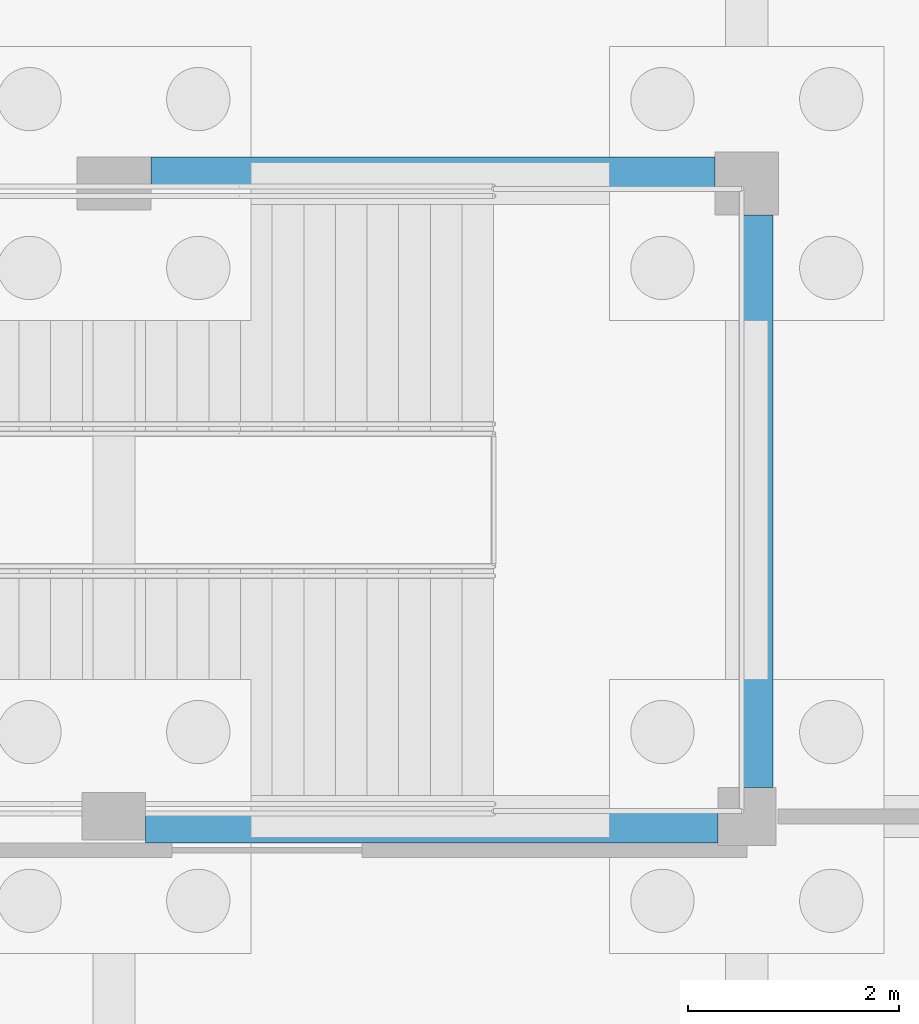
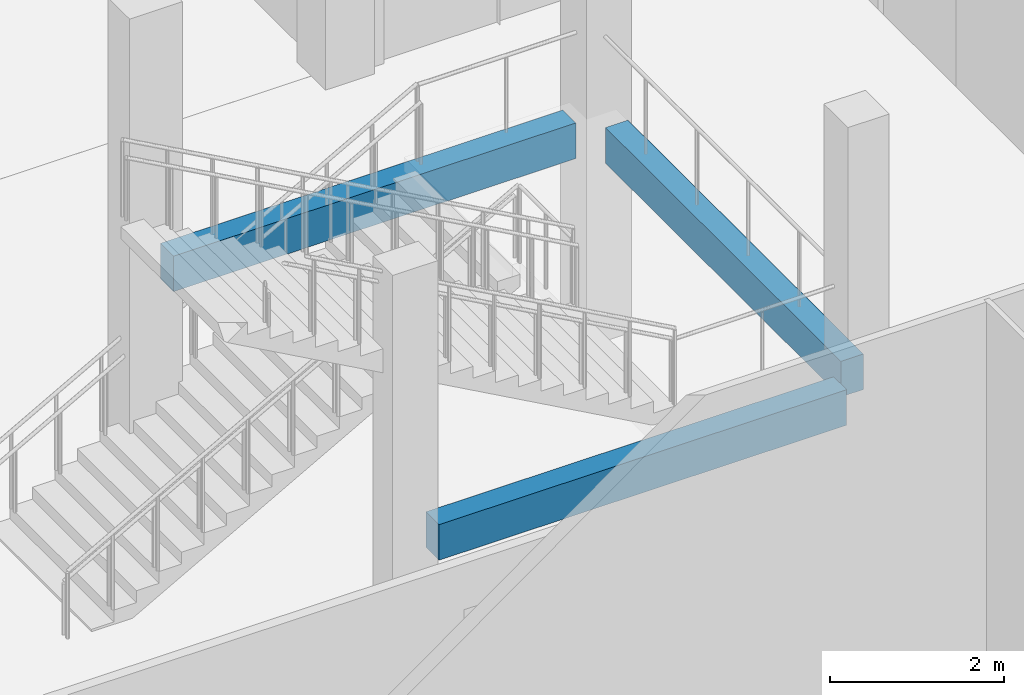
# One storey, part 21 of 95: 3 beams.
"""IFC4 building model written with IfcOpenShell, lengths in metres."""

from ifc_helpers import new_model, si_unit, direction, frame, origin, origin_2d, place, context, subcontext, project, spatial, rectangle, extrude, material, material_profile, profile_set, type_object, element, save


model = new_model("IFC4")

# Units and contexts
model_context = context("Model", 3, precision=1e-05, world=origin(), true_north=direction((0.0, 1.0)))
body_context = subcontext(model_context, "Body", "Model", "MODEL_VIEW")
ifc_project = project(units=[si_unit("LENGTHUNIT", "METRE"), si_unit("AREAUNIT", "SQUARE_METRE"), si_unit("VOLUMEUNIT", "CUBIC_METRE"), si_unit("PLANEANGLEUNIT", "RADIAN"), si_unit("MASSUNIT", "GRAM", prefix="KILO")], contexts=[model_context])

# Site, building, storey
site_placement = place(None, origin())
site = spatial("IfcSite", under=ifc_project, at=site_placement, CompositionType="ELEMENT")
building_placement = place(site_placement, origin())
building = spatial("IfcBuilding", under=site, at=building_placement, Name="Saffron Lane Theatres", CompositionType="ELEMENT")
storey_placement = place(building_placement, origin())
storey = spatial("IfcBuildingStorey", under=building, at=storey_placement, Name="L00", CompositionType="ELEMENT", Elevation=0.0)

# Beams
ifc_material = material(Name="Concrete N40 (40 MPa)", Category="concrete")
ifc_material_profile = material_profile(ifc_material, rectangle(XDim=0.300048828125, YDim=0.5, at=origin_2d()))
ifc_profile_set = profile_set([ifc_material_profile], Name="Concrete N40 (40 MPa)")
beam_type = type_object("IfcBeamType", Name="VC-LANDING BEAM 300x500", PredefinedType="BEAM", material=ifc_profile_set)
for number, where, z_axis, x_axis, name in (
    (1, (54.10009765625, 18.27490234375, 3.050048828125), (0.0, 1.0, 0.0), (-1.0, 0.0, 0.0), "Landing beam 16"),
    (2, (48.300048828125, 17.89990234375, 3.050048828125), (1.0, 0.0, 0.0), (0.0, 1.0, 0.0), "Landing beam 17"),
):
    element("IfcBeam", number, at=place(storey_placement, frame(where, z_axis=z_axis, x_axis=x_axis)), inside=storey, type_object=beam_type, Name=name, PredefinedType="BEAM", context=body_context, shape_type="SweptSolid", body=[
        extrude(rectangle(XDim=0.300048828125, YDim=0.5, at=origin_2d()), origin(), (0.0, 0.0, 1.0), 5.425048828125),
    ])
beam_placement = place(storey_placement, frame((48.35009765625, 24.10009765625, 3.050048828125), z_axis=(1.0, 0.0, 0.0), x_axis=(0.0, 1.0, 0.0)))
element("IfcBeam", 3, at=beam_placement, inside=storey, type_object=beam_type, Name="Landing beam 18", PredefinedType="BEAM", context=body_context, shape_type="SweptSolid", body=[
    extrude(rectangle(XDim=0.300048828125, YDim=0.5, at=origin_2d()), origin(), (0.0, 0.0, 1.0), 5.349853515625),
])

save(model, "model.ifc")
